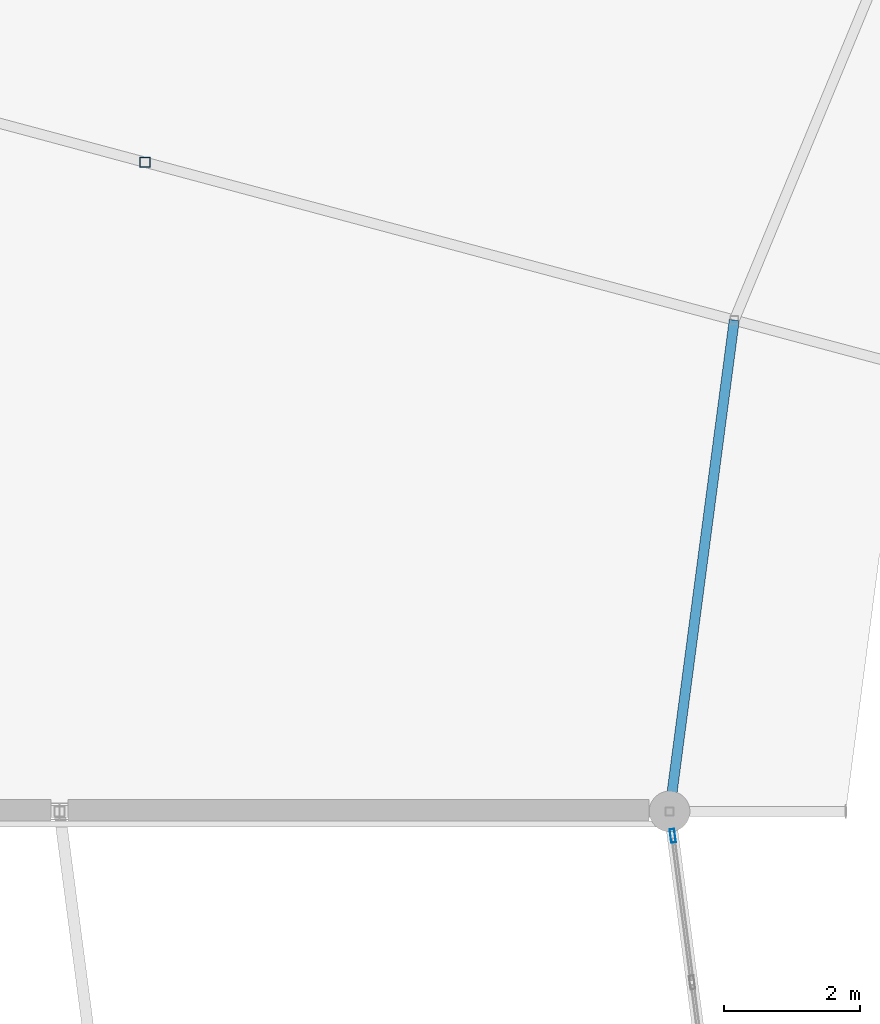
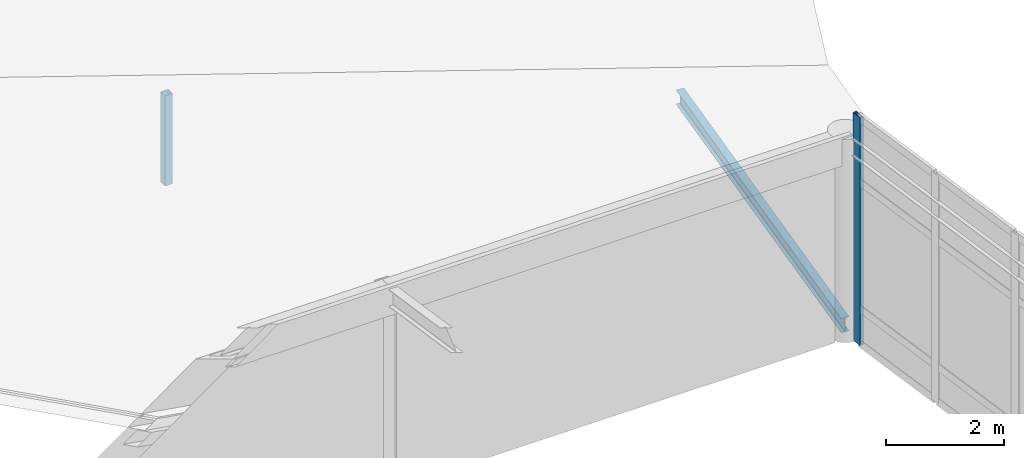
# One storey, part 35 of 93: 2 members, 1 beam, 1 element without a shape of its own.
"""IFC4 building model written with IfcOpenShell, lengths in metres."""

from ifc_helpers import new_model, si_unit, direction, frame, origin, origin_2d, place, context, subcontext, project, spatial, hollow_rectangle, i_section, extrude, material, material_profile, profile_set, type_object, element, aggregate, save


model = new_model("IFC4")

# Units and contexts
model_context = context("Model", 3, precision=1e-05, world=origin(), true_north=direction((0.0, 1.0)))
body_context = subcontext(model_context, "Body", "Model", "MODEL_VIEW")
ifc_project = project(units=[si_unit("LENGTHUNIT", "METRE"), si_unit("AREAUNIT", "SQUARE_METRE"), si_unit("VOLUMEUNIT", "CUBIC_METRE"), si_unit("PLANEANGLEUNIT", "RADIAN"), si_unit("MASSUNIT", "GRAM", prefix="KILO")], contexts=[model_context])

# Site, building, storey
site_placement = place(None, origin())
site = spatial("IfcSite", under=ifc_project, at=site_placement, CompositionType="ELEMENT")
building_placement = place(site_placement, origin())
building = spatial("IfcBuilding", under=site, at=building_placement, Name="Vondelvale Polytechnic", CompositionType="ELEMENT")
storey_placement = place(building_placement, frame((0.0, 0.0, 18.0)))
storey = spatial("IfcBuildingStorey", under=building, at=storey_placement, Name="L04", CompositionType="ELEMENT", Elevation=18.0)

# Beam
ifc_material_1 = material(Name="Steel 300PLUS (fy = 300 MPa)", Category="steel")
ifc_material_profile_1 = material_profile(ifc_material_1, i_section(OverallWidth=0.14892578125, OverallDepth=0.298095703125, WebThickness=0.005615234375, FlangeThickness=0.008056640625, FilletRadius=0.011474609375, at=origin_2d()), Name="310UB32.0")
ifc_profile_set_1 = profile_set([ifc_material_profile_1], Name="Steel 300PLUS (fy = 300 MPa)")
beam_type = type_object("IfcBeamType", Name="BM-UB310L", PredefinedType="BEAM", material=ifc_profile_set_1)
beam_placement = place(storey_placement, frame((74.9541015625, 79.246826171875, 0.16259765625), z_axis=(-0.13053140969, -0.991444174467, 0.0), x_axis=(0.991444174467, -0.13053140969, 0.0)))
element("IfcBeam", 1, at=beam_placement, inside=storey, type_object=beam_type, Name="L04 RE B-25", PredefinedType="BEAM", context=body_context, shape_type="SweptSolid", body=[
    extrude(i_section(OverallWidth=0.14892578125, OverallDepth=0.298095703125, WebThickness=0.005615234375, FlangeThickness=0.008056640625, FilletRadius=0.011474609375, at=origin_2d()), origin(), (0.0, 0.0, 1.0), 7.309326171875),
])

# Curtain wall, member
ifc_material_2 = material(Name="Anodised extruded aluminium 6063-T6", Category="aluminium")
curtain_wall_type = type_object("IfcCurtainWallType", Name="CW-RING-CLOISTER", PredefinedType="NOTDEFINED", material=ifc_material_2)
curtain_wall_placement = place(storey_placement, origin())
curtain_wall = element("IfcCurtainWall", 2, at=curtain_wall_placement, inside=storey, type_object=curtain_wall_type, Name="L04 architectural curtain wall CW-03-271", PredefinedType="NOTDEFINED")
ifc_material_profile_2 = material_profile(ifc_material_2, hollow_rectangle(XDim=0.070068359375, YDim=0.199951171875, WallThickness=0.00390625, at=origin_2d()), Name="CW-MUL-200x70")
ifc_profile_set_2 = profile_set([ifc_material_profile_2], Name="Anodised extruded aluminium 6063-T6")
member_type_1 = type_object("IfcMemberType", Name="CW-MUL-70x200", PredefinedType="MULLION", material=ifc_profile_set_2)
member_1_placement = place(storey_placement, frame((74.04736328125, 71.639404296875, 0.0), z_axis=(0.0, 0.0, 1.0), x_axis=(0.99144462243, 0.130528007165, 0.0)))
member_1 = element("IfcMember", 3, at=member_1_placement, type_object=member_type_1, Name="CW-03-271 mullion 1", PredefinedType="MULLION", context=body_context, shape_type="SweptSolid", body=[
    extrude(hollow_rectangle(XDim=0.070068359375, YDim=0.199951171875, WallThickness=0.00390625, at=origin_2d()), origin(), (0.0, 0.0, 1.0), 4.713134765625),
])
aggregate(curtain_wall, [member_1])

# Member
ifc_material_3 = material(Name="Steel C350L0 (fy = 350 MPa)", Category="steel")
ifc_material_profile_3 = material_profile(ifc_material_3, hollow_rectangle(XDim=0.14990234375, YDim=0.14990234375, WallThickness=0.006103515625, at=origin_2d()), Name="150x150x6.0SHS")
ifc_profile_set_3 = profile_set([ifc_material_profile_3], Name="Steel C350L0 (fy = 350 MPa)")
member_type_2 = type_object("IfcMemberType", Name="ROOF TRUSS POST 150SHS", PredefinedType="POST", material=ifc_profile_set_3)
member_2_placement = place(storey_placement, frame((66.2607421875, 81.576416015625, 0.0), z_axis=(0.0, 0.0, 1.0), x_axis=(1.0, 0.0, 0.0)))
element("IfcMember", 4, at=member_2_placement, inside=storey, type_object=member_type_2, Name="Ring mid roof post 11", PredefinedType="POST", context=body_context, shape_type="SweptSolid", body=[
    extrude(hollow_rectangle(XDim=0.14990234375, YDim=0.14990234375, WallThickness=0.006103515625, at=origin_2d()), origin(), (0.0, 0.0, 1.0), 1.86572265625),
])

save(model, "model.ifc")
